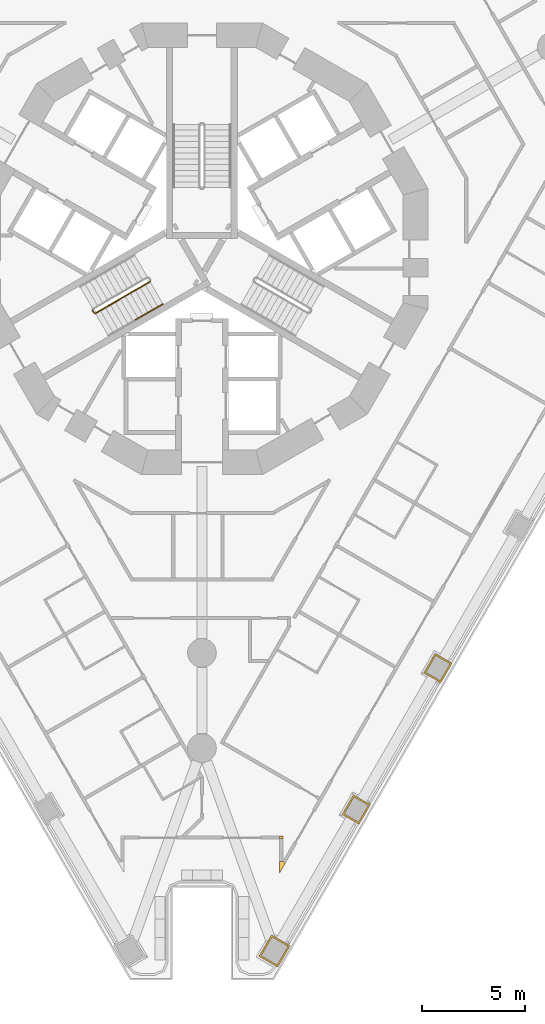
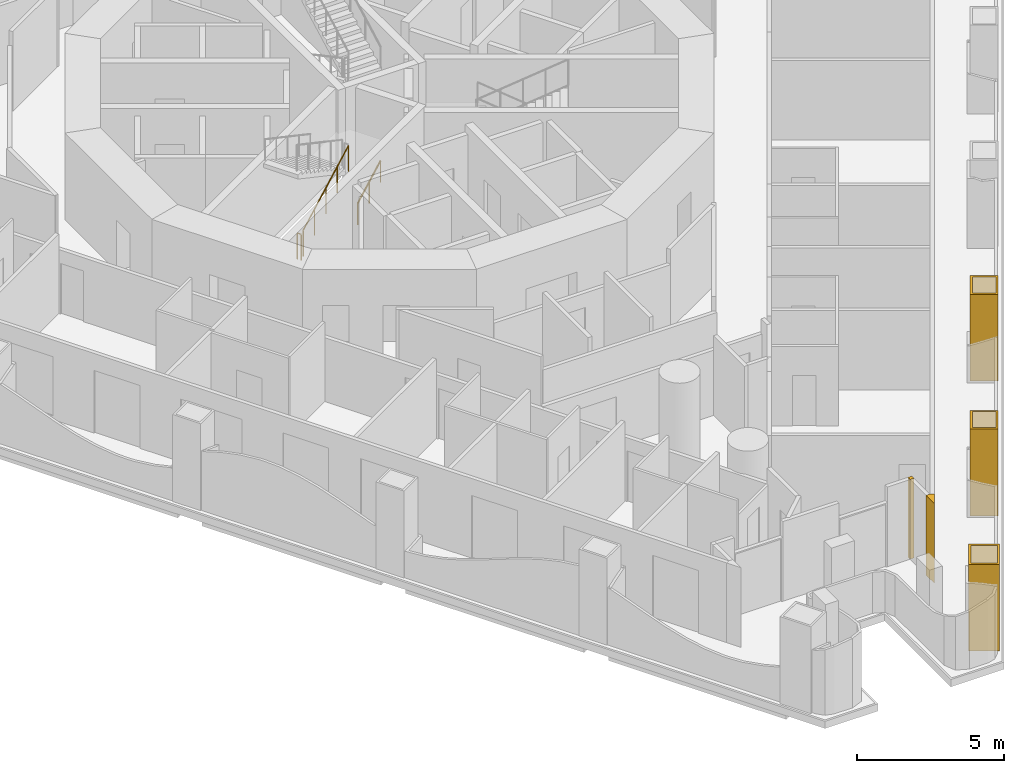
# One storey, part 14 of 20: 5 coverings, 3 railings.
"""IFC4 building model written with IfcOpenShell, lengths in metres."""

import ifcopenshell
import ifcopenshell.guid

model = None  # the IFC model being written
_history = None  # IfcOwnerHistory: only IFC2X3 demands one
_inside = {}  # id of a spatial element -> (the spatial element, [elements in it])
_under = {}  # id of a project, library or spatial element -> (it, [spatial elements below it])
_declared = {}  # id of a project -> (the project, [libraries it declares])
_typed = {}  # id of a type object -> (the type object, [elements of that type])
_made_of = {}  # id of a material, layer set ... -> (it, [elements and type objects made of it])


def new_model(schema):
    """Start an empty IFC model of exactly this schema.

    Asked for "IFC4X3", IfcOpenShell would pick the latest addendum, in which some entities
    have other attributes; the version numbers below select the first issue.
    IFC2X3 requires an IfcOwnerHistory on every rooted entity: one is made here for all.
    """
    global model, _history
    if schema == "IFC4X3":
        model = ifcopenshell.file(schema_version=(4, 3, 0, 0))
    else:
        model = ifcopenshell.file(schema=schema)
    _inside.clear()
    _under.clear()
    _declared.clear()
    _typed.clear()
    _made_of.clear()
    _history = None
    if model.schema == "IFC2X3":
        org = make("IfcOrganization", Name="unknown")
        user = make(
            "IfcPersonAndOrganization",
            ThePerson=make("IfcPerson", FamilyName="unknown"),
            TheOrganization=org,
        )
        app = make(
            "IfcApplication",
            ApplicationDeveloper=org,
            Version="unknown",
            ApplicationFullName="unknown",
            ApplicationIdentifier="unknown",
        )
        _history = make(
            "IfcOwnerHistory",
            OwningUser=user,
            OwningApplication=app,
            ChangeAction="ADDED",
            CreationDate=0,
        )
    return model


def make(cls, **values):
    """One entity of the class cls with the attributes given. An attribute that is None is left unset."""
    return model.create_entity(
        cls, **{name: value for name, value in values.items() if value is not None}
    )


def rooted(cls, **values):
    """An entity with a GlobalId (a new one), such as an element, a storey or a relation."""
    return make(cls, GlobalId=ifcopenshell.guid.new(), OwnerHistory=_history, **values)


def si_unit(unit_type, name, prefix=None):
    """IfcSIUnit, for example si_unit("LENGTHUNIT", "METRE", prefix="MILLI")."""
    return make("IfcSIUnit", UnitType=unit_type, Prefix=prefix, Name=name)


def assignment(units):
    """IfcUnitAssignment: the units of a project."""
    return None if units is None else make("IfcUnitAssignment", Units=units)


def point(xyz):
    """IfcCartesianPoint."""
    return None if xyz is None else make("IfcCartesianPoint", Coordinates=xyz)


def direction(xyz):
    """IfcDirection."""
    return None if xyz is None else make("IfcDirection", DirectionRatios=xyz)


def frame(location, z_axis=None, x_axis=None):
    """IfcAxis2Placement3D, a coordinate frame: its origin and axes. An axis left out is left unset."""
    return make(
        "IfcAxis2Placement3D",
        Location=point(location),
        Axis=direction(z_axis),
        RefDirection=direction(x_axis),
    )


def frame_2d(location, x_axis=None):
    """IfcAxis2Placement2D, a coordinate frame in the plane: its origin and x axis."""
    return make(
        "IfcAxis2Placement2D", Location=point(location), RefDirection=direction(x_axis)
    )


def origin():
    """The frame at (0, 0, 0) with its axes left unset."""
    return frame((0.0, 0.0, 0.0))


def origin_2d():
    """The frame at (0, 0) in the plane with its x axis left unset."""
    return frame_2d((0.0, 0.0))


def place(relative_to, where):
    """IfcLocalPlacement: puts the frame where relative to a parent placement (None: the world)."""
    return make(
        "IfcLocalPlacement", PlacementRelTo=relative_to, RelativePlacement=where
    )


def context(
    kind, dimensions, precision=None, world=None, true_north=None, identifier=None
):
    """IfcGeometricRepresentationContext, for example the 3D "Model" context."""
    return make(
        "IfcGeometricRepresentationContext",
        ContextIdentifier=identifier,
        ContextType=kind,
        CoordinateSpaceDimension=dimensions,
        Precision=precision,
        WorldCoordinateSystem=world,
        TrueNorth=true_north,
    )


def subcontext(parent, identifier, kind, view, scale=None):
    """IfcGeometricRepresentationSubContext, for example "Body" below "Model"."""
    return make(
        "IfcGeometricRepresentationSubContext",
        ContextIdentifier=identifier,
        ContextType=kind,
        ParentContext=parent,
        TargetScale=scale,
        TargetView=view,
    )


def project(units=None, contexts=None):
    """IfcProject with its units and contexts."""
    return rooted(
        "IfcProject",
        Name="project",
        RepresentationContexts=contexts,
        UnitsInContext=assignment(units),
    )


def spatial(cls, under=None, at=None, **own):
    """A site, building, storey or space (cls), placed at a placement, below another one or the project."""
    s = rooted(cls, ObjectPlacement=at, **own)
    if under is not None:
        _under.setdefault(under.id(), (under, []))[1].append(s)
    return s


def polyline(points):
    """IfcPolyline through the points."""
    return make("IfcPolyline", Points=[point(p) for p in points])


def profile(cls, at=None, kind="AREA", **sizes):
    """A parametric profile (cls). Its sizes go by their IFC names, for example OverallWidth=200.0."""
    return make(cls, ProfileType=kind, Position=at, **sizes)


def circle(**sizes):
    """IfcCircleProfileDef."""
    return profile("IfcCircleProfileDef", **sizes)


def outline(outer, holes=None, kind="AREA"):
    """IfcArbitraryClosedProfileDef: a profile drawn as a closed curve; with holes, ...WithVoids."""
    if holes is None:
        return make("IfcArbitraryClosedProfileDef", ProfileType=kind, OuterCurve=outer)
    return make(
        "IfcArbitraryProfileDefWithVoids",
        ProfileType=kind,
        OuterCurve=outer,
        InnerCurves=holes,
    )


def extrude(swept, where, along, depth):
    """IfcExtrudedAreaSolid: the profile swept, set in the frame where, extruded along a direction by depth."""
    return make(
        "IfcExtrudedAreaSolid",
        SweptArea=swept,
        Position=where,
        ExtrudedDirection=direction(along),
        Depth=depth,
    )


def shape(context_of_items, identifier, shape_type, items):
    """IfcShapeRepresentation: the items that make up one representation, for example the "Body"."""
    return make(
        "IfcShapeRepresentation",
        ContextOfItems=context_of_items,
        RepresentationIdentifier=identifier,
        RepresentationType=shape_type,
        Items=items,
    )


def material(Name=None, Category=None):
    """IfcMaterial."""
    return make("IfcMaterial", Name=Name, Category=Category)


def layer(
    of_material, thickness, ventilated=None, Name=None, Category=None, Priority=None
):
    """IfcMaterialLayer: one layer of a wall or slab, of a material (None: an air gap)."""
    return make(
        "IfcMaterialLayer",
        Material=of_material,
        LayerThickness=thickness,
        IsVentilated=ventilated,
        Name=Name,
        Category=Category,
        Priority=Priority,
    )


def layer_set(layers, Name=None):
    """IfcMaterialLayerSet."""
    return make("IfcMaterialLayerSet", MaterialLayers=layers, LayerSetName=Name)


def made_of(thing, what):
    """Note that an element or type object is made of a material, layer set ...; save() writes the relation."""
    if what is not None:
        _made_of.setdefault(what.id(), (what, []))[1].append(thing)
    return thing


def type_object(cls, material=None, **own):
    """A type object (cls), such as IfcWallType, which elements share."""
    return made_of(rooted(cls, **own), material)


def element(
    cls,
    number,
    at=None,
    inside=None,
    cuts=None,
    type_object=None,
    material=None,
    context=None,
    identifier="Body",
    shape_type=None,
    held_by="IfcProductDefinitionShape",
    body=None,
    shapes=None,
    **own,
):
    """One element of the class cls, such as IfcWall. Its Tag is "e" and its number.

    at: its placement. inside: the storey or other place that contains it. cuts: it is an
    opening in that element (IfcRelVoidsElement). A single representation is given by context,
    identifier, shape_type and body (its items); several are given by shapes. held_by: the class
    of the entity that holds the representations. save() writes the other relations.
    """
    e = rooted(cls, Tag="e%d" % number, ObjectPlacement=at, **own)
    if body is not None:
        shapes = [shape(context, identifier, shape_type, body)]
    if shapes is not None:
        e.Representation = make(held_by, Representations=shapes)
    if inside is not None:
        _inside.setdefault(inside.id(), (inside, []))[1].append(e)
    if cuts is not None:
        rooted(
            "IfcRelVoidsElement", RelatingBuildingElement=cuts, RelatedOpeningElement=e
        )
    if type_object is not None:
        _typed.setdefault(type_object.id(), (type_object, []))[1].append(e)
    return made_of(e, material)


def aggregate(whole, parts):
    """IfcRelAggregates: a whole, such as a stair, and the parts it consists of."""
    return rooted("IfcRelAggregates", RelatingObject=whole, RelatedObjects=parts)


def save(model, path):
    """Write the relations noted so far, then the file.

    IfcRelAggregates (storeys below a building ...), IfcRelContainedInSpatialStructure (elements
    in a storey), IfcRelDefinesByType, IfcRelAssociatesMaterial and IfcRelDeclares: one each for
    every whole, place, type object, material and project.
    """
    for whole, parts in _under.values():
        aggregate(whole, parts)
    for where, things in _inside.values():
        rooted(
            "IfcRelContainedInSpatialStructure",
            RelatedElements=things,
            RelatingStructure=where,
        )
    for kind, things in _typed.values():
        rooted("IfcRelDefinesByType", RelatedObjects=things, RelatingType=kind)
    for what, things in _made_of.values():
        rooted("IfcRelAssociatesMaterial", RelatedObjects=things, RelatingMaterial=what)
    for by, libraries in _declared.values():
        rooted("IfcRelDeclares", RelatingContext=by, RelatedDefinitions=libraries)
    model.write(path)


model = new_model("IFC4")

# Units and contexts
model_context = context("Model", 3, precision=1e-05, world=origin(), true_north=direction((0.0, 1.0)))
body_context = subcontext(model_context, "Body", "Model", "MODEL_VIEW")
ifc_project = project(units=[si_unit("LENGTHUNIT", "METRE"), si_unit("AREAUNIT", "SQUARE_METRE"), si_unit("VOLUMEUNIT", "CUBIC_METRE"), si_unit("PLANEANGLEUNIT", "RADIAN"), si_unit("MASSUNIT", "GRAM", prefix="KILO")], contexts=[model_context])

# Site, building, storey
site_placement = place(None, origin())
site = spatial("IfcSite", under=ifc_project, at=site_placement, CompositionType="ELEMENT")
building_placement = place(site_placement, origin())
building = spatial("IfcBuilding", under=site, at=building_placement, Name="Trine Commons Tower", CompositionType="ELEMENT")
storey_placement = place(building_placement, frame((0.0, 0.0, 38.699951171875)))
storey = spatial("IfcBuildingStorey", under=building, at=storey_placement, Name="L08", CompositionType="ELEMENT", Elevation=38.699951171875)

# Coverings
ifc_material_1 = material(Name="Aluminium-framed insulated wall panel", Category="aluminium")
ifc_layer_1 = layer(ifc_material_1, 0.14990234375)
ifc_layer_set_1 = layer_set([ifc_layer_1], Name="Aluminium-framed insulated wall panel")
covering_type_1 = type_object("IfcCoveringType", Name="Glazing corner post, aluminium", PredefinedType="CLADDING", material=ifc_layer_set_1)
covering_1_placement = place(storey_placement, origin())
element("IfcCovering", 1, at=covering_1_placement, inside=storey, type_object=covering_type_1, Name="Glazing corner post 1-09", PredefinedType="CLADDING", context=body_context, shape_type="SweptSolid", body=[
    extrude(outline(polyline([(83.7900390625, 32.635009765625), (83.7900390625, 32.0751953125), (84.06982421875, 32.56005859375), (83.93994140625, 32.635009765625), (83.93994140625, 32.635009765625), (83.7900390625, 32.635009765625)])), origin(), (0.0, 0.0, 1.0), 3.300048828125),
])
covering_2_placement = place(storey_placement, origin())
element("IfcCovering", 2, at=covering_2_placement, inside=storey, type_object=covering_type_1, Name="Glazing corner post 1-10", PredefinedType="CLADDING", context=body_context, shape_type="SweptSolid", body=[
    extrude(outline(polyline([(83.93994140625, 33.720703125), (83.93994140625, 33.870849609375), (83.7900390625, 33.870849609375), (83.7900390625, 33.720703125), (83.93994140625, 33.720703125)])), origin(), (0.0, 0.0, 1.0), 3.300048828125),
])
ifc_material_2 = material(Name="Limestone, honed", Category="masonry")
ifc_layer_2 = layer(ifc_material_2, 0.074951171875)
ifc_layer_set_2 = layer_set([ifc_layer_2], Name="Limestone, honed")
covering_type_2 = type_object("IfcCoveringType", Name="Limestone column cladding 75", PredefinedType="CLADDING", material=ifc_layer_set_2)
covering_3_placement = place(storey_placement, origin())
element("IfcCovering", 3, at=covering_3_placement, inside=storey, type_object=covering_type_2, Name="Limestone pier cladding 1-22", PredefinedType="CLADDING", context=body_context, shape_type="SweptSolid", body=[
    extrude(outline(polyline([(92.1943359375, 42.3017578125), (91.37158203125, 42.77685546875), (90.821533203125, 41.82421875), (91.644287109375, 41.34912109375), (92.1943359375, 42.3017578125)]), holes=[polyline([(92.091796875, 42.2744140625), (91.39892578125, 42.67431640625), (90.924072265625, 41.8515625), (91.61669921875, 41.45166015625), (92.091796875, 42.2744140625)])]), origin(), (0.0, 0.0, 1.0), 3.60009765625),
])
covering_4_placement = place(storey_placement, origin())
element("IfcCovering", 4, at=covering_4_placement, inside=storey, type_object=covering_type_2, Name="Limestone pier cladding 1-23", PredefinedType="CLADDING", context=body_context, shape_type="SweptSolid", body=[
    extrude(outline(polyline([(88.212646484375, 35.4052734375), (87.389892578125, 35.88037109375), (86.83984375, 34.927734375), (87.66259765625, 34.45263671875), (88.212646484375, 35.4052734375)]), holes=[polyline([(88.110107421875, 35.3779296875), (87.417236328125, 35.77783203125), (86.9423828125, 34.955078125), (87.635009765625, 34.55517578125), (88.110107421875, 35.3779296875)])]), origin(), (0.0, 0.0, 1.0), 3.60009765625),
])
covering_5_placement = place(storey_placement, origin())
element("IfcCovering", 5, at=covering_5_placement, inside=storey, type_object=covering_type_2, Name="Limestone pier cladding 1-24", PredefinedType="CLADDING", context=body_context, shape_type="SweptSolid", body=[
    extrude(outline(polyline([(84.29931640625, 28.527099609375), (83.389892578125, 29.052001953125), (82.789794921875, 28.012939453125), (83.69921875, 27.48779296875), (84.29931640625, 28.527099609375)]), holes=[polyline([(84.19677734375, 28.499755859375), (83.417236328125, 28.94970703125), (82.892333984375, 28.040283203125), (83.671630859375, 27.59033203125), (84.19677734375, 28.499755859375)])]), origin(), (0.0, 0.0, 1.0), 3.60009765625),
])

# Railings
ifc_material_3 = material(Name="Stainless steel balustrade", Category="steel")
railing_type_1 = type_object("IfcRailingType", Name="Stair guard, steel balustrade 1100", PredefinedType="GUARDRAIL", material=ifc_material_3)
railing_1_placement = place(storey_placement, frame((74.80517578125, 59.3564453125, 0.150146484375)))
element("IfcRailing", 6, at=railing_1_placement, inside=storey, type_object=railing_type_1, Name="L08 ST2A stair guard 1", PredefinedType="GUARDRAIL", context=body_context, shape_type="SweptSolid", body=[
    extrude(circle(Radius=0.02392578125, at=origin_2d()), frame((0.0, 0.0, 1.076171875), z_axis=(0.76340495495, 0.440743040072, 0.472184759798), x_axis=(-0.499992328818, 0.866029832698, 0.0)), (0.0, 0.0, 1.0), 3.494140625),
    extrude(circle(Radius=0.02099609375, at=origin_2d()), origin(), (0.0, 0.0, 1.0), 1.052001953125),
    extrude(circle(Radius=0.02099609375, at=origin_2d()), frame((0.6669921875, 0.385009765625, 0.41259765625)), (0.0, 0.0, 1.0), 1.052001953125),
    extrude(circle(Radius=0.02099609375, at=origin_2d()), frame((1.333740234375, 0.77001953125, 0.824951171875)), (0.0, 0.0, 1.0), 1.052001953125),
    extrude(circle(Radius=0.02099609375, at=origin_2d()), frame((2.00048828125, 1.155029296875, 1.2373046875)), (0.0, 0.0, 1.0), 1.052001953125),
    extrude(circle(Radius=0.02099609375, at=origin_2d()), frame((2.66748046875, 1.5400390625, 1.64990234375)), (0.0, 0.0, 1.0), 1.052001953125),
])
railing_2_placement = place(storey_placement, frame((74.73681640625, 59.374755859375, 0.0)))
element("IfcRailing", 7, at=railing_2_placement, inside=storey, type_object=railing_type_1, Name="L08 ST2A stair guard 4", PredefinedType="GUARDRAIL", context=body_context, shape_type="SweptSolid", body=[
    extrude(circle(Radius=0.02392578125, at=origin_2d()), frame((0.0, 0.0, 1.076171875), z_axis=(-0.499816412211, 0.866131372301, 0.0), x_axis=(-0.866131372301, -0.499816412211, 0.0)), (0.0, 0.0, 1.0), 0.14990234375),
    extrude(circle(Radius=0.02099609375, at=origin_2d()), origin(), (0.0, 0.0, 1.0), 1.052001953125),
    extrude(circle(Radius=0.02099609375, at=origin_2d()), frame((-0.074951171875, 0.1298828125, 0.0)), (0.0, 0.0, 1.0), 1.052001953125),
])
ifc_material_4 = material(Name="Stainless steel handrail", Category="steel")
railing_type_2 = type_object("IfcRailingType", Name="Stair handrail, steel 900", PredefinedType="HANDRAIL", material=ifc_material_4)
railing_3_placement = place(storey_placement, frame((76.763916015625, 59.0439453125, 0.97509765625)))
element("IfcRailing", 8, at=railing_3_placement, inside=storey, type_object=railing_type_2, Name="L08 ST2A stair handrail 2", PredefinedType="HANDRAIL", context=body_context, shape_type="SweptSolid", body=[
    extrude(circle(Radius=0.02099609375, at=origin_2d()), frame((0.0, 0.0, 0.87890625), z_axis=(0.76340495495, 0.440743040072, 0.472184759798), x_axis=(-0.499992328818, 0.866029832698, 0.0)), (0.0, 0.0, 1.0), 1.7470703125),
    extrude(circle(Radius=0.01513671875, at=origin_2d()), origin(), (0.0, 0.0, 1.0), 0.85791015625),
    extrude(circle(Radius=0.01513671875, at=origin_2d()), frame((0.6669921875, 0.385009765625, 0.41259765625)), (0.0, 0.0, 1.0), 0.85791015625),
    extrude(circle(Radius=0.01513671875, at=origin_2d()), frame((1.333740234375, 0.77001953125, 0.824951171875)), (0.0, 0.0, 1.0), 0.85791015625),
])

save(model, "model.ifc")
